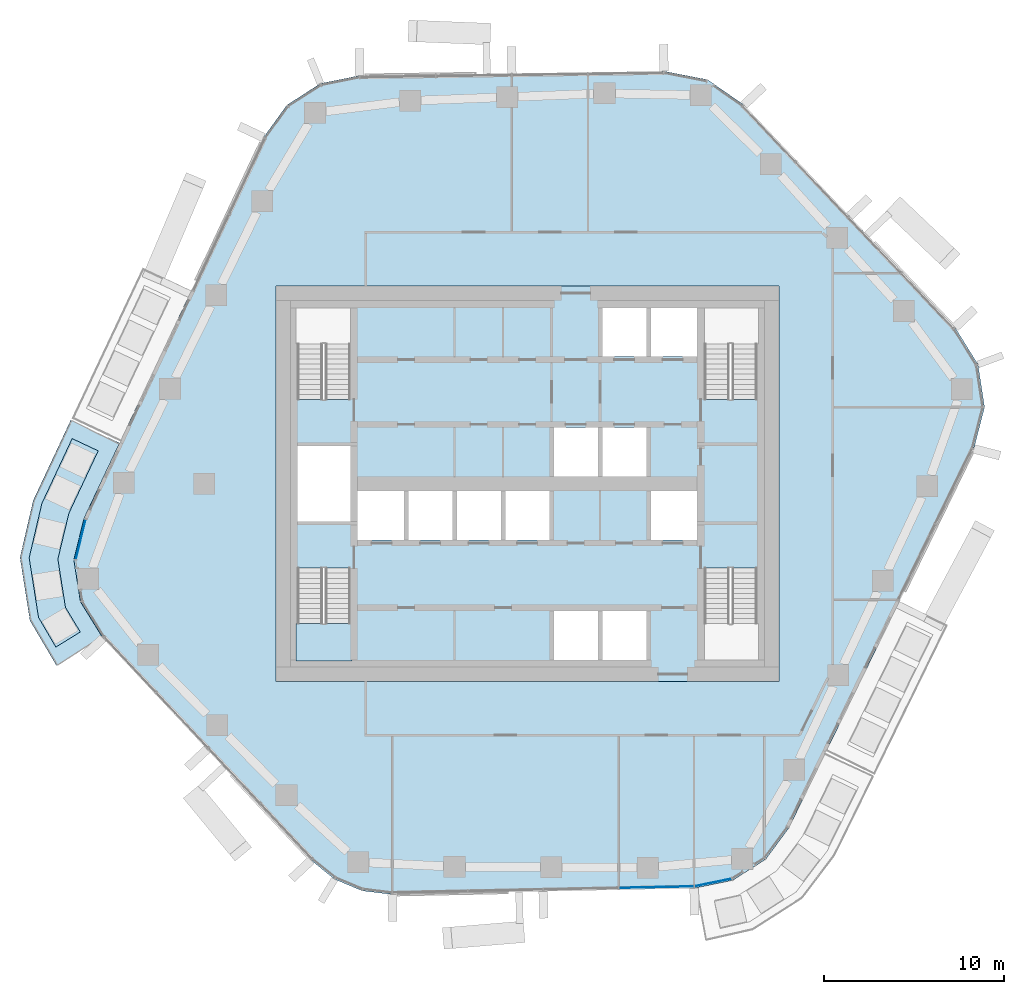
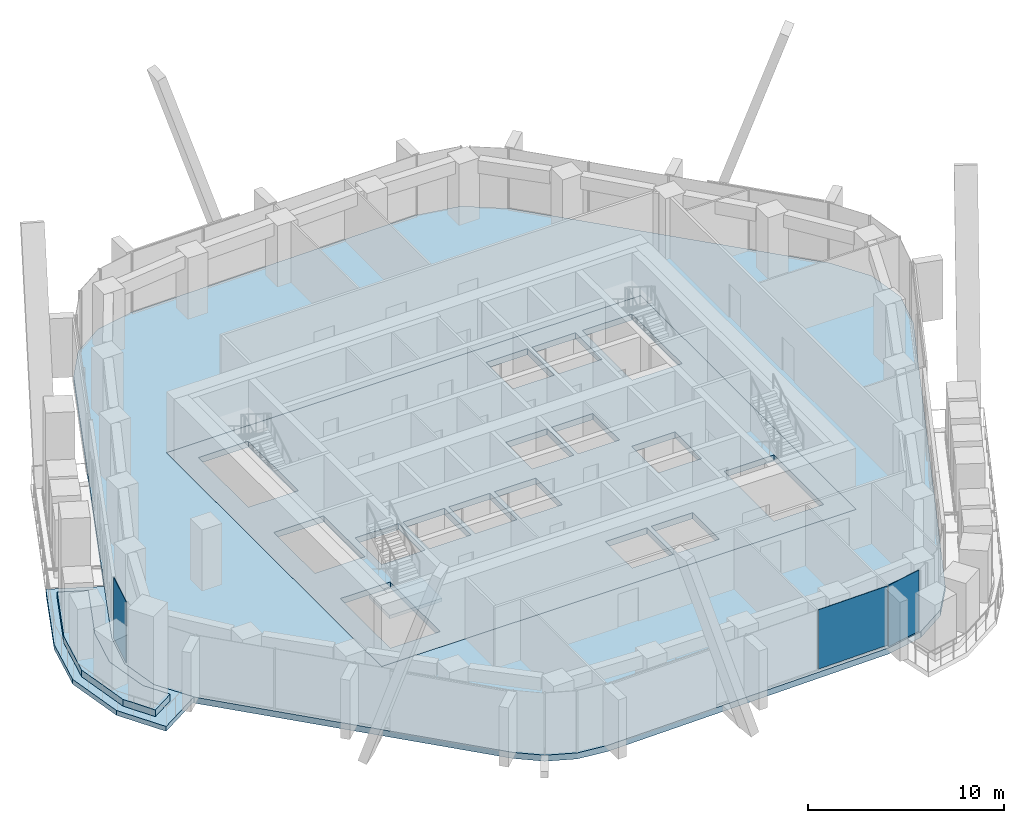
# One storey, part 8 of 18: 5 slabs, 3 plates, 4 elements without a shape of their own.
"""IFC4 building model written with IfcOpenShell, lengths in metres."""

import ifcopenshell
import ifcopenshell.guid

model = None  # the IFC model being written
_history = None  # IfcOwnerHistory: only IFC2X3 demands one
_inside = {}  # id of a spatial element -> (the spatial element, [elements in it])
_under = {}  # id of a project, library or spatial element -> (it, [spatial elements below it])
_declared = {}  # id of a project -> (the project, [libraries it declares])
_typed = {}  # id of a type object -> (the type object, [elements of that type])
_made_of = {}  # id of a material, layer set ... -> (it, [elements and type objects made of it])


def new_model(schema):
    """Start an empty IFC model of exactly this schema.

    Asked for "IFC4X3", IfcOpenShell would pick the latest addendum, in which some entities
    have other attributes; the version numbers below select the first issue.
    IFC2X3 requires an IfcOwnerHistory on every rooted entity: one is made here for all.
    """
    global model, _history
    if schema == "IFC4X3":
        model = ifcopenshell.file(schema_version=(4, 3, 0, 0))
    else:
        model = ifcopenshell.file(schema=schema)
    _inside.clear()
    _under.clear()
    _declared.clear()
    _typed.clear()
    _made_of.clear()
    _history = None
    if model.schema == "IFC2X3":
        org = make("IfcOrganization", Name="unknown")
        user = make(
            "IfcPersonAndOrganization",
            ThePerson=make("IfcPerson", FamilyName="unknown"),
            TheOrganization=org,
        )
        app = make(
            "IfcApplication",
            ApplicationDeveloper=org,
            Version="unknown",
            ApplicationFullName="unknown",
            ApplicationIdentifier="unknown",
        )
        _history = make(
            "IfcOwnerHistory",
            OwningUser=user,
            OwningApplication=app,
            ChangeAction="ADDED",
            CreationDate=0,
        )
    return model


def make(cls, **values):
    """One entity of the class cls with the attributes given. An attribute that is None is left unset."""
    return model.create_entity(
        cls, **{name: value for name, value in values.items() if value is not None}
    )


def rooted(cls, **values):
    """An entity with a GlobalId (a new one), such as an element, a storey or a relation."""
    return make(cls, GlobalId=ifcopenshell.guid.new(), OwnerHistory=_history, **values)


def si_unit(unit_type, name, prefix=None):
    """IfcSIUnit, for example si_unit("LENGTHUNIT", "METRE", prefix="MILLI")."""
    return make("IfcSIUnit", UnitType=unit_type, Prefix=prefix, Name=name)


def assignment(units):
    """IfcUnitAssignment: the units of a project."""
    return None if units is None else make("IfcUnitAssignment", Units=units)


def point(xyz):
    """IfcCartesianPoint."""
    return None if xyz is None else make("IfcCartesianPoint", Coordinates=xyz)


def direction(xyz):
    """IfcDirection."""
    return None if xyz is None else make("IfcDirection", DirectionRatios=xyz)


def frame(location, z_axis=None, x_axis=None):
    """IfcAxis2Placement3D, a coordinate frame: its origin and axes. An axis left out is left unset."""
    return make(
        "IfcAxis2Placement3D",
        Location=point(location),
        Axis=direction(z_axis),
        RefDirection=direction(x_axis),
    )


def frame_2d(location, x_axis=None):
    """IfcAxis2Placement2D, a coordinate frame in the plane: its origin and x axis."""
    return make(
        "IfcAxis2Placement2D", Location=point(location), RefDirection=direction(x_axis)
    )


def origin():
    """The frame at (0, 0, 0) with its axes left unset."""
    return frame((0.0, 0.0, 0.0))


def origin_2d():
    """The frame at (0, 0) in the plane with its x axis left unset."""
    return frame_2d((0.0, 0.0))


def place(relative_to, where):
    """IfcLocalPlacement: puts the frame where relative to a parent placement (None: the world)."""
    return make(
        "IfcLocalPlacement", PlacementRelTo=relative_to, RelativePlacement=where
    )


def context(
    kind, dimensions, precision=None, world=None, true_north=None, identifier=None
):
    """IfcGeometricRepresentationContext, for example the 3D "Model" context."""
    return make(
        "IfcGeometricRepresentationContext",
        ContextIdentifier=identifier,
        ContextType=kind,
        CoordinateSpaceDimension=dimensions,
        Precision=precision,
        WorldCoordinateSystem=world,
        TrueNorth=true_north,
    )


def subcontext(parent, identifier, kind, view, scale=None):
    """IfcGeometricRepresentationSubContext, for example "Body" below "Model"."""
    return make(
        "IfcGeometricRepresentationSubContext",
        ContextIdentifier=identifier,
        ContextType=kind,
        ParentContext=parent,
        TargetScale=scale,
        TargetView=view,
    )


def project(units=None, contexts=None):
    """IfcProject with its units and contexts."""
    return rooted(
        "IfcProject",
        Name="project",
        RepresentationContexts=contexts,
        UnitsInContext=assignment(units),
    )


def spatial(cls, under=None, at=None, **own):
    """A site, building, storey or space (cls), placed at a placement, below another one or the project."""
    s = rooted(cls, ObjectPlacement=at, **own)
    if under is not None:
        _under.setdefault(under.id(), (under, []))[1].append(s)
    return s


def polyline(points):
    """IfcPolyline through the points."""
    return make("IfcPolyline", Points=[point(p) for p in points])


def profile(cls, at=None, kind="AREA", **sizes):
    """A parametric profile (cls). Its sizes go by their IFC names, for example OverallWidth=200.0."""
    return make(cls, ProfileType=kind, Position=at, **sizes)


def rectangle(**sizes):
    """IfcRectangleProfileDef."""
    return profile("IfcRectangleProfileDef", **sizes)


def outline(outer, holes=None, kind="AREA"):
    """IfcArbitraryClosedProfileDef: a profile drawn as a closed curve; with holes, ...WithVoids."""
    if holes is None:
        return make("IfcArbitraryClosedProfileDef", ProfileType=kind, OuterCurve=outer)
    return make(
        "IfcArbitraryProfileDefWithVoids",
        ProfileType=kind,
        OuterCurve=outer,
        InnerCurves=holes,
    )


def extrude(swept, where, along, depth):
    """IfcExtrudedAreaSolid: the profile swept, set in the frame where, extruded along a direction by depth."""
    return make(
        "IfcExtrudedAreaSolid",
        SweptArea=swept,
        Position=where,
        ExtrudedDirection=direction(along),
        Depth=depth,
    )


def shape(context_of_items, identifier, shape_type, items):
    """IfcShapeRepresentation: the items that make up one representation, for example the "Body"."""
    return make(
        "IfcShapeRepresentation",
        ContextOfItems=context_of_items,
        RepresentationIdentifier=identifier,
        RepresentationType=shape_type,
        Items=items,
    )


def material(Name=None, Category=None):
    """IfcMaterial."""
    return make("IfcMaterial", Name=Name, Category=Category)


def layer(
    of_material, thickness, ventilated=None, Name=None, Category=None, Priority=None
):
    """IfcMaterialLayer: one layer of a wall or slab, of a material (None: an air gap)."""
    return make(
        "IfcMaterialLayer",
        Material=of_material,
        LayerThickness=thickness,
        IsVentilated=ventilated,
        Name=Name,
        Category=Category,
        Priority=Priority,
    )


def layer_set(layers, Name=None):
    """IfcMaterialLayerSet."""
    return make("IfcMaterialLayerSet", MaterialLayers=layers, LayerSetName=Name)


def made_of(thing, what):
    """Note that an element or type object is made of a material, layer set ...; save() writes the relation."""
    if what is not None:
        _made_of.setdefault(what.id(), (what, []))[1].append(thing)
    return thing


def type_object(cls, material=None, **own):
    """A type object (cls), such as IfcWallType, which elements share."""
    return made_of(rooted(cls, **own), material)


def element(
    cls,
    number,
    at=None,
    inside=None,
    cuts=None,
    type_object=None,
    material=None,
    context=None,
    identifier="Body",
    shape_type=None,
    held_by="IfcProductDefinitionShape",
    body=None,
    shapes=None,
    **own,
):
    """One element of the class cls, such as IfcWall. Its Tag is "e" and its number.

    at: its placement. inside: the storey or other place that contains it. cuts: it is an
    opening in that element (IfcRelVoidsElement). A single representation is given by context,
    identifier, shape_type and body (its items); several are given by shapes. held_by: the class
    of the entity that holds the representations. save() writes the other relations.
    """
    e = rooted(cls, Tag="e%d" % number, ObjectPlacement=at, **own)
    if body is not None:
        shapes = [shape(context, identifier, shape_type, body)]
    if shapes is not None:
        e.Representation = make(held_by, Representations=shapes)
    if inside is not None:
        _inside.setdefault(inside.id(), (inside, []))[1].append(e)
    if cuts is not None:
        rooted(
            "IfcRelVoidsElement", RelatingBuildingElement=cuts, RelatedOpeningElement=e
        )
    if type_object is not None:
        _typed.setdefault(type_object.id(), (type_object, []))[1].append(e)
    return made_of(e, material)


def aggregate(whole, parts):
    """IfcRelAggregates: a whole, such as a stair, and the parts it consists of."""
    return rooted("IfcRelAggregates", RelatingObject=whole, RelatedObjects=parts)


def save(model, path):
    """Write the relations noted so far, then the file.

    IfcRelAggregates (storeys below a building ...), IfcRelContainedInSpatialStructure (elements
    in a storey), IfcRelDefinesByType, IfcRelAssociatesMaterial and IfcRelDeclares: one each for
    every whole, place, type object, material and project.
    """
    for whole, parts in _under.values():
        aggregate(whole, parts)
    for where, things in _inside.values():
        rooted(
            "IfcRelContainedInSpatialStructure",
            RelatedElements=things,
            RelatingStructure=where,
        )
    for kind, things in _typed.values():
        rooted("IfcRelDefinesByType", RelatedObjects=things, RelatingType=kind)
    for what, things in _made_of.values():
        rooted("IfcRelAssociatesMaterial", RelatedObjects=things, RelatingMaterial=what)
    for by, libraries in _declared.values():
        rooted("IfcRelDeclares", RelatingContext=by, RelatedDefinitions=libraries)
    model.write(path)


model = new_model("IFC4")

# Units and contexts
model_context = context("Model", 3, precision=1e-05, world=origin(), true_north=direction((0.0, 1.0)))
body_context = subcontext(model_context, "Body", "Model", "MODEL_VIEW")
ifc_project = project(units=[si_unit("LENGTHUNIT", "METRE"), si_unit("AREAUNIT", "SQUARE_METRE"), si_unit("VOLUMEUNIT", "CUBIC_METRE"), si_unit("PLANEANGLEUNIT", "RADIAN"), si_unit("MASSUNIT", "GRAM", prefix="KILO")], contexts=[model_context])

# Site, building, storey
site_placement = place(None, origin())
site = spatial("IfcSite", under=ifc_project, at=site_placement, CompositionType="ELEMENT")
building_placement = place(site_placement, origin())
building = spatial("IfcBuilding", under=site, at=building_placement, Name="Dongbaek Canopy Tower", CompositionType="ELEMENT")
storey_placement = place(building_placement, frame((0.0, 0.0, 167.0)))
storey = spatial("IfcBuildingStorey", under=building, at=storey_placement, Name="L36", CompositionType="ELEMENT", Elevation=167.0)

# Slab
ifc_material_1 = material(Name="Concrete C40/50", Category="concrete")
ifc_layer_1 = layer(ifc_material_1, 0.300048828125)
ifc_layer_set_1 = layer_set([ifc_layer_1], Name="Balcony slab 300")
slab_type_1 = type_object("IfcSlabType", Name="Balcony slab 300", PredefinedType="FLOOR", material=ifc_layer_set_1)
slab_1_placement = place(storey_placement, frame((0.0, 0.0, -0.300048828125)))
element("IfcSlab", 1, at=slab_1_placement, inside=storey, type_object=slab_type_1, Name="Balcony L36 3", PredefinedType="FLOOR", context=body_context, shape_type="SweptSolid", body=[
    extrude(outline(polyline([(-22.705078125, 2.2685546875), (-24.682861328125, -1.928955078125), (-25.249755859375, -4.231201171875), (-24.880615234375, -6.5732421875), (-23.6591796875, -8.546630859375), (-26.21044921875, -10.125244140625), (-27.693115234375, -7.616455078125), (-28.246826171875, -4.103515625), (-27.51025390625, -0.92626953125), (-25.4189453125, 3.54736328125), (-22.705078125, 2.2685546875)])), origin(), (0.0, 0.0, 1.0), 0.300048828125),
])

# Curtain wall, plate
ifc_material_2 = material(Name="Aluminium 6063-T6 pale anodised", Category="aluminium")
ifc_layer_2 = layer(ifc_material_2, 0.199951171875)
ifc_layer_set_2 = layer_set([ifc_layer_2], Name="CW-1 unitised tower curtain wall")
curtain_wall_type = type_object("IfcCurtainWallType", Name="CW-1 unitised tower curtain wall", PredefinedType="NOTDEFINED", material=ifc_layer_set_2)
curtain_wall_1_placement = place(storey_placement, origin())
curtain_wall_1 = element("IfcCurtainWall", 2, at=curtain_wall_1_placement, inside=storey, type_object=curtain_wall_type, Name="CW-1 curtain wall K3.1a", PredefinedType="NOTDEFINED")
ifc_material_3 = material(Name="Clear laminated glass", Category="glass")
ifc_layer_3 = layer(ifc_material_3, 0.028076171875)
ifc_layer_set_3 = layer_set([ifc_layer_3], Name="CW-1 glazed panel 28")
plate_type = type_object("IfcPlateType", Name="CW-1 glazed panel 28", PredefinedType="CURTAIN_PANEL", material=ifc_layer_set_3)
plate_1_placement = place(storey_placement, frame((-24.867919921875, -3.09912109375, 0.0), z_axis=(0.0, 0.0, 1.0), x_axis=(-0.23907682537, -0.971000654774, 0.0)))
plate_1 = element("IfcPlate", 3, at=plate_1_placement, type_object=plate_type, Name="CW-1 panel K3.1a.1.1", PredefinedType="CURTAIN_PANEL", context=body_context, shape_type="SweptSolid", body=[
    extrude(rectangle(XDim=2.2568359375, YDim=0.028076171875, at=origin_2d()), origin(), (0.0, 0.0, 1.0), 3.820068359375),
])
aggregate(curtain_wall_1, [plate_1])

curtain_wall_2_placement = place(storey_placement, origin())
curtain_wall_2 = element("IfcCurtainWall", 4, at=curtain_wall_2_placement, inside=storey, type_object=curtain_wall_type, Name="CW-1 curtain wall F4.1", PredefinedType="NOTDEFINED")
plate_2_placement = place(storey_placement, frame((7.185546875, -22.46142578125, 0.1201171875), z_axis=(0.0, 0.0, 1.0), x_axis=(0.999789551029, 0.020514717954, 0.0)))
plate_2 = element("IfcPlate", 5, at=plate_2_placement, type_object=plate_type, Name="CW-1 panel F4.1.4.1", PredefinedType="CURTAIN_PANEL", context=body_context, shape_type="SweptSolid", body=[
    extrude(rectangle(XDim=4.1142578125, YDim=0.028076171875, at=origin_2d()), origin(), (0.0, 0.0, 1.0), 3.699951171875),
])
aggregate(curtain_wall_2, [plate_2])

curtain_wall_3_placement = place(storey_placement, origin())
curtain_wall_3 = element("IfcCurtainWall", 6, at=curtain_wall_3_placement, inside=storey, type_object=curtain_wall_type, Name="CW-1 curtain wall K5.1a", PredefinedType="NOTDEFINED")
plate_3_placement = place(storey_placement, frame((10.33837890625, -22.201171875, 0.0), z_axis=(0.0, 0.0, 1.0), x_axis=(0.979423636575, 0.2018151137, 0.0)))
plate_3 = element("IfcPlate", 7, at=plate_3_placement, type_object=plate_type, Name="CW-1 panel K5.1a.1.1", PredefinedType="CURTAIN_PANEL", context=body_context, shape_type="SweptSolid", body=[
    extrude(rectangle(XDim=2.068603515625, YDim=0.028076171875, at=origin_2d()), origin(), (0.0, 0.0, 1.0), 3.820068359375),
])
aggregate(curtain_wall_3, [plate_3])

# Slab
ifc_material_4 = material(Name="Concrete C40/50", Category="concrete")
ifc_layer_4 = layer(ifc_material_4, 0.3798828125)
ifc_layer_set_4 = layer_set([ifc_layer_4], Name="Core floor slab 380 Concrete C40/50")
slab_type_2 = type_object("IfcSlabType", Name="Core floor slab 380 Concrete C40/50", PredefinedType="FLOOR", material=ifc_layer_set_4)
slab_2_placement = place(storey_placement, frame((0.0, 0.0, -0.3798828125)))
element("IfcSlab", 8, at=slab_2_placement, inside=storey, type_object=slab_type_2, Name="Core floor slab L36", PredefinedType="FLOOR", context=body_context, shape_type="SweptSolid", body=[
    extrude(outline(polyline([(14.0, -11.0), (14.0, 11.0), (-14.0, 11.0), (-14.0, -11.0), (14.0, -11.0)]), holes=[polyline([(-12.800048828125, 2.10009765625), (-9.85009765625, 2.10009765625), (-9.85009765625, -2.10009765625), (-12.800048828125, -2.10009765625), (-12.800048828125, 2.10009765625)]), polyline([(6.625, 9.800048828125), (6.625, 7.074951171875), (4.175048828125, 7.074951171875), (4.175048828125, 9.800048828125), (6.625, 9.800048828125)]), polyline([(9.449951171875, 7.074951171875), (6.875, 7.074951171875), (6.875, 9.800048828125), (9.449951171875, 9.800048828125), (9.449951171875, 7.074951171875)]), polyline([(3.925048828125, 3.125), (3.925048828125, 0.39990234375), (1.47509765625, 0.39990234375), (1.47509765625, 3.125), (3.925048828125, 3.125)]), polyline([(4.175048828125, 3.125), (6.625, 3.125), (6.625, 0.39990234375), (4.175048828125, 0.39990234375), (4.175048828125, 3.125)]), polyline([(-9.449951171875, -0.39990234375), (-6.875, -0.39990234375), (-6.875, -3.125), (-9.449951171875, -3.125), (-9.449951171875, -0.39990234375)]), polyline([(-6.625, -0.39990234375), (-4.175048828125, -0.39990234375), (-4.175048828125, -3.125), (-6.625, -3.125), (-6.625, -0.39990234375)]), polyline([(-3.925048828125, -0.39990234375), (-1.47509765625, -0.39990234375), (-1.47509765625, -3.125), (-3.925048828125, -3.125), (-3.925048828125, -0.39990234375)]), polyline([(-1.22509765625, -0.39990234375), (1.22509765625, -0.39990234375), (1.22509765625, -3.125), (-1.22509765625, -3.125), (-1.22509765625, -0.39990234375)]), polyline([(9.449951171875, -3.125), (6.875, -3.125), (6.875, -0.39990234375), (9.449951171875, -0.39990234375), (9.449951171875, -3.125)]), polyline([(1.47509765625, -9.800048828125), (1.47509765625, -7.074951171875), (3.925048828125, -7.074951171875), (3.925048828125, -9.800048828125), (1.47509765625, -9.800048828125)]), polyline([(4.175048828125, -9.800048828125), (4.175048828125, -7.074951171875), (6.625, -7.074951171875), (6.625, -9.800048828125), (4.175048828125, -9.800048828125)]), polyline([(12.800048828125, 4.70068359375), (12.800048828125, 9.800048828125), (9.85009765625, 9.800048828125), (9.85009765625, 4.70068359375), (12.800048828125, 4.70068359375)]), polyline([(-9.85009765625, 4.70068359375), (-9.85009765625, 9.800048828125), (-12.800048828125, 9.800048828125), (-12.800048828125, 4.70068359375), (-9.85009765625, 4.70068359375)]), polyline([(9.85009765625, -4.70068359375), (9.85009765625, -9.800048828125), (12.800048828125, -9.800048828125), (12.800048828125, -4.70068359375), (9.85009765625, -4.70068359375)]), polyline([(-12.800048828125, -4.70068359375), (-12.800048828125, -9.800048828125), (-9.85009765625, -9.800048828125), (-9.85009765625, -4.70068359375), (-12.800048828125, -4.70068359375)])]), origin(), (0.0, 0.0, 1.0), 0.3798828125),
])

# Stair, slab
ifc_material_5 = material(Name="Concrete C40/50", Category="concrete")
stair_type = type_object("IfcStairType", Name="Core exit stair", PredefinedType="HALF_TURN_STAIR", material=ifc_material_5)
stair_placement = place(storey_placement, origin())
stair = element("IfcStair", 9, at=stair_placement, inside=storey, type_object=stair_type, Name="L36 exit stair D", PredefinedType="HALF_TURN_STAIR")
ifc_material_6 = material(Name="Concrete C40/50", Category="concrete")
ifc_layer_5 = layer(ifc_material_6, 0.199951171875)
ifc_layer_set_5 = layer_set([ifc_layer_5], Name="Core stair landing 200")
slab_type_3 = type_object("IfcSlabType", Name="Core stair landing 200", PredefinedType="LANDING", material=ifc_layer_set_5)
slab_3_placement = place(storey_placement, frame((0.0, 0.0, 1.89990234375)))
slab_3 = element("IfcSlab", 10, at=slab_3_placement, type_object=slab_type_3, Name="ST-D landing 1", PredefinedType="LANDING", context=body_context, shape_type="SweptSolid", body=[
    extrude(outline(polyline([(-12.875, -7.780029296875), (-12.875, -9.875), (-9.77490234375, -9.875), (-9.77490234375, -7.780029296875), (-12.875, -7.780029296875)])), origin(), (0.0, 0.0, 1.0), 0.2001953125),
])
aggregate(stair, [slab_3])

# Slabs
ifc_material_7 = material(Name="Concrete C40", Category="concrete")
ifc_layer_6 = layer(ifc_material_7, 0.3798828125)
ifc_layer_set_6 = layer_set([ifc_layer_6], Name="RC FLAT PLATE 380 Concrete C40")
slab_type_4 = type_object("IfcSlabType", Name="RC FLAT PLATE 380 Concrete C40", PredefinedType="FLOOR", material=ifc_layer_set_6)
slab_4_placement = place(storey_placement, frame((0.0, 0.0, -0.3798828125)))
element("IfcSlab", 11, at=slab_4_placement, inside=storey, type_object=slab_type_4, Name="SLAB:L36", PredefinedType="FLOOR", context=body_context, shape_type="SweptSolid", body=[
    extrude(outline(polyline([(14.564208984375, -19.1513671875), (13.267822265625, -20.904296875), (11.4306640625, -22.078125), (9.29541015625, -22.518310546875), (-7.531005859375, -22.863525390625), (-9.1904296875, -22.664794921875), (-10.73046875, -22.01611328125), (-12.031982421875, -20.967529296875), (-23.633056640625, -8.589111328125), (-24.880615234375, -6.572998046875), (-25.249755859375, -4.231201171875), (-24.682861328125, -1.92919921875), (-14.6875, 19.285888671875), (-13.38671875, 21.083984375), (-11.520751953125, 22.286376953125), (-9.345703125, 22.727783203125), (7.61376953125, 22.97021484375), (10.029541015625, 22.499755859375), (12.053466796875, 21.09912109375), (23.817626953125, 8.69140625), (25.090576171875, 6.645751953125), (25.4560546875, 4.264404296875), (24.85546875, 1.93115234375), (14.564208984375, -19.1513671875)]), holes=[polyline([(14.0, 11.0), (-14.0, 11.0), (-14.0, -11.0), (14.0, -11.0), (14.0, 11.0)])]), origin(), (0.0, 0.0, 1.0), 0.3798828125),
])
ifc_material_8 = material(Name="Reinforced concrete C40/50 planter box with soil", Category="concrete")
ifc_layer_7 = layer(ifc_material_8, 0.419921875)
ifc_layer_set_7 = layer_set([ifc_layer_7], Name="Terrace planter box 1600 x 420")
slab_type_5 = type_object("IfcSlabType", Name="Terrace planter box 1600 x 420", PredefinedType="USERDEFINED", material=ifc_layer_set_7)
slab_5_placement = place(storey_placement, origin())
element("IfcSlab", 12, at=slab_5_placement, inside=storey, type_object=slab_type_5, Name="Balcony planter L36 3", ObjectType="PLANTER", PredefinedType="USERDEFINED", context=body_context, shape_type="SweptSolid", body=[
    extrude(outline(polyline([(-23.893798828125, 1.833740234375), (-25.521728515625, -1.631591796875), (-26.138916015625, -4.193359375), (-25.71484375, -6.882568359375), (-24.8896484375, -8.249755859375), (-26.250244140625, -9.091552734375), (-27.215087890625, -7.439208984375), (-27.7373046875, -4.125244140625), (-27.029541015625, -1.0966796875), (-25.34130859375, 2.515869140625), (-23.893798828125, 1.833740234375)])), origin(), (0.0, 0.0, 1.0), 0.419921875),
])

save(model, "model.ifc")
